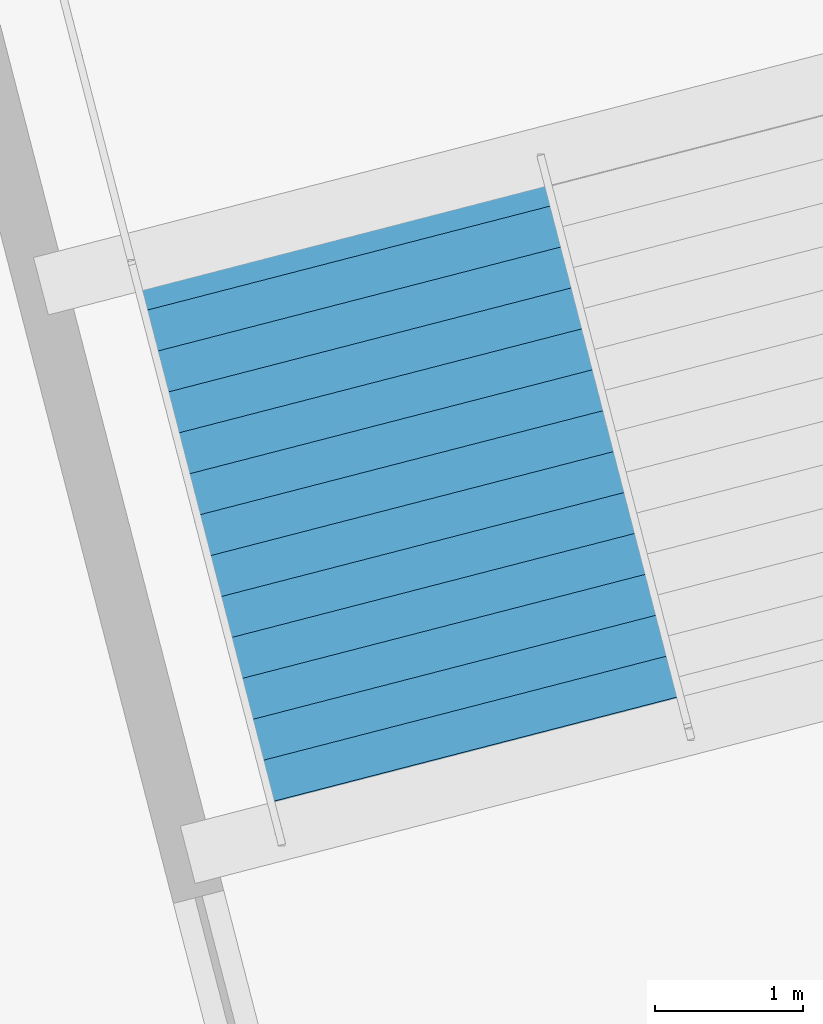
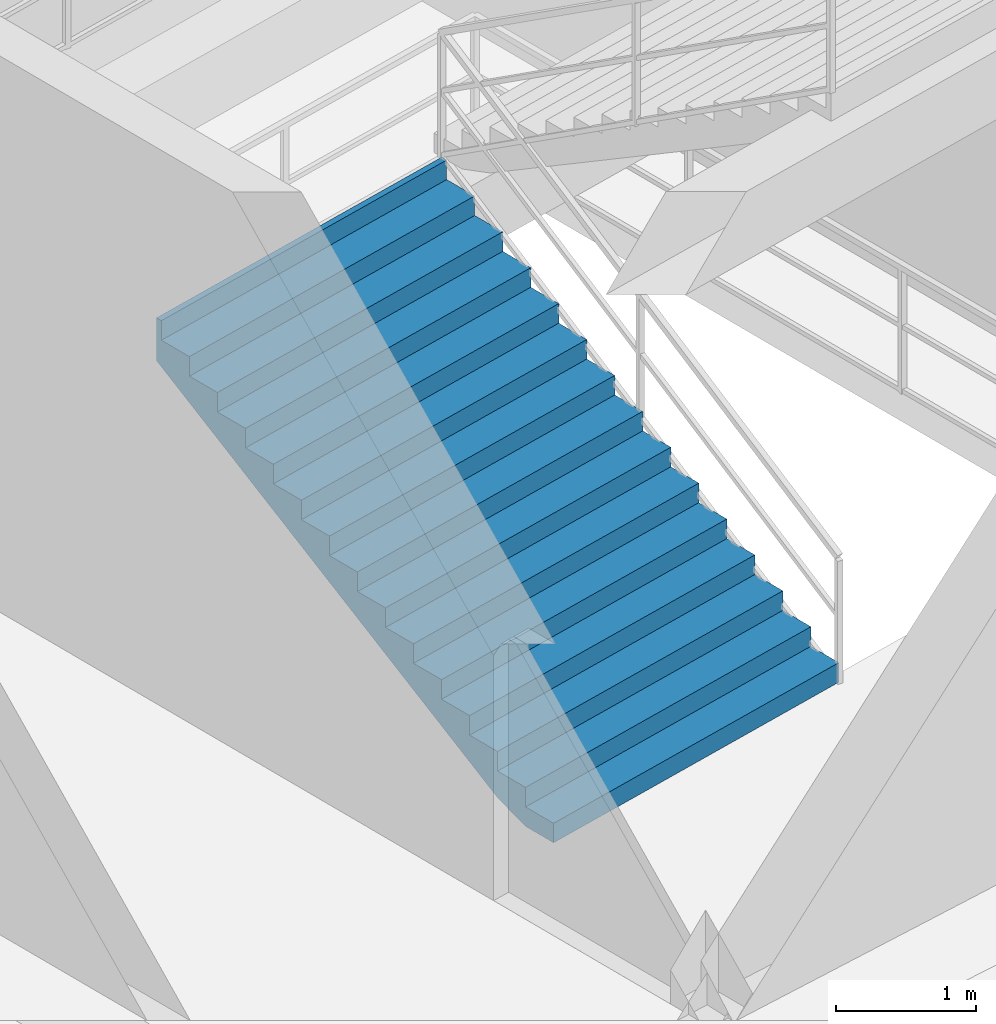
# One storey, part 165 of 184: 1 stair flight, 1 element without a shape of its own.
"""IFC4 building model written with IfcOpenShell, lengths in metres."""

from ifc_helpers import new_model, si_unit, direction, frame, origin, place, context, subcontext, project, spatial, polygons, material, type_object, element, aggregate, save


model = new_model("IFC4")

# Units and contexts
model_context = context("Model", 3, precision=1e-05, world=origin(), true_north=direction((0.0, 1.0)))
body_context = subcontext(model_context, "Body", "Model", "MODEL_VIEW")
ifc_project = project(units=[si_unit("LENGTHUNIT", "METRE"), si_unit("AREAUNIT", "SQUARE_METRE"), si_unit("VOLUMEUNIT", "CUBIC_METRE"), si_unit("PLANEANGLEUNIT", "RADIAN"), si_unit("MASSUNIT", "GRAM", prefix="KILO")], contexts=[model_context])

# Site, building, storey
site_placement = place(None, origin())
site = spatial("IfcSite", under=ifc_project, at=site_placement, CompositionType="ELEMENT")
building_placement = place(site_placement, origin())
building = spatial("IfcBuilding", under=site, at=building_placement, Name="Kazemori Nagisa Stadium", CompositionType="ELEMENT")
storey_placement = place(building_placement, frame((0.0, 0.0, 10.5400390625)))
storey = spatial("IfcBuildingStorey", under=building, at=storey_placement, Name="L02", CompositionType="ELEMENT", Elevation=10.5400390625)

# Stair, stair flight
ifc_material = material(Name="Concrete C36/45 (Fc36)", Category="concrete")
stair_type = type_object("IfcStairType", Name="Stair_CORE_30", PredefinedType="TWO_STRAIGHT_RUN_STAIR", material=ifc_material)
stair_placement = place(storey_placement, origin())
stair = element("IfcStair", 1, at=stair_placement, inside=storey, type_object=stair_type, Name="Exit stair ST07 L02", PredefinedType="TWO_STRAIGHT_RUN_STAIR")
stair_flight_type = type_object("IfcStairFlightType", Name="Flight_CORE_15", PredefinedType="STRAIGHT", material=ifc_material)
stair_flight_placement = place(storey_placement, frame((207.933349609375, 122.920166015625, 0.0), z_axis=(0.0, 0.0, 1.0), x_axis=(-0.249957593895, 0.968256784771, 0.0)))
stair_flight = element("IfcStairFlight", 2, at=stair_flight_placement, type_object=stair_flight_type, Name="Exit stair ST07 L02 flight 1", NumberOfRisers=15, NumberOfTreads=14, PredefinedType="STRAIGHT", RiserHeight=0.17, TreadLength=0.285, context=body_context, shape_type="Tessellation", body=[
    polygons([(0.0, -1.425048828125, 0.0), (0.0, -1.425048828125, 0.169921875), (0.284912109375, -1.425048828125, 0.169921875), (0.284912109375, -1.425048828125, 0.340087890625), (0.570068359375, -1.425048828125, 0.340087890625), (0.570068359375, -1.425048828125, 0.510009765625), (0.85498046875, -1.425048828125, 0.510009765625), (0.85498046875, -1.425048828125, 0.679931640625), (1.139892578125, -1.425048828125, 0.679931640625), (1.139892578125, -1.425048828125, 0.85009765625), (1.425048828125, -1.425048828125, 0.85009765625), (1.425048828125, -1.425048828125, 1.02001953125), (1.7099609375, -1.425048828125, 1.02001953125), (1.7099609375, -1.425048828125, 1.18994140625), (1.9951171875, -1.425048828125, 1.18994140625), (1.9951171875, -1.425048828125, 1.360107421875), (2.280029296875, -1.425048828125, 1.360107421875), (2.280029296875, -1.425048828125, 1.530029296875), (2.56494140625, -1.425048828125, 1.530029296875), (2.56494140625, -1.425048828125, 1.699951171875), (2.85009765625, -1.425048828125, 1.699951171875), (2.85009765625, -1.425048828125, 1.8701171875), (3.135009765625, -1.425048828125, 1.8701171875), (3.135009765625, -1.425048828125, 2.0400390625), (3.419921875, -1.425048828125, 2.0400390625), (3.419921875, -1.425048828125, 2.2099609375), (3.705078125, -1.425048828125, 2.2099609375), (3.705078125, -1.425048828125, 2.3798828125), (3.989990234375, -1.425048828125, 2.3798828125), (3.989990234375, -1.425048828125, 2.550048828125), (4.0400390625, -1.425048828125, 2.550048828125), (4.0400390625, -1.425048828125, 2.177001953125), (3.989990234375, -1.425048828125, 2.147216796875), (3.705078125, -1.425048828125, 1.977294921875), (3.419921875, -1.425048828125, 1.80712890625), (3.135009765625, -1.425048828125, 1.63720703125), (2.85009765625, -1.425048828125, 1.46728515625), (2.56494140625, -1.425048828125, 1.297119140625), (2.280029296875, -1.425048828125, 1.127197265625), (1.9951171875, -1.425048828125, 0.957275390625), (1.7099609375, -1.425048828125, 0.787109375), (1.425048828125, -1.425048828125, 0.6171875), (1.139892578125, -1.425048828125, 0.447265625), (0.85498046875, -1.425048828125, 0.277099609375), (0.570068359375, -1.425048828125, 0.107177734375), (0.284912109375, -1.425048828125, 0.0), (0.0, -0.08544921875, 0.0), (0.0, -0.08544921875, 0.169921875), (0.284912109375, -0.08544921875, 0.169921875), (0.284912109375, -0.08544921875, 0.340087890625), (0.570068359375, -0.08544921875, 0.340087890625), (0.570068359375, -0.08544921875, 0.510009765625), (0.85498046875, -0.08544921875, 0.510009765625), (0.85498046875, -0.08544921875, 0.679931640625), (1.139892578125, -0.08544921875, 0.679931640625), (1.139892578125, -0.08544921875, 0.85009765625), (1.425048828125, -0.08544921875, 0.85009765625), (1.425048828125, -0.08544921875, 1.02001953125), (1.7099609375, -0.08544921875, 1.02001953125), (1.7099609375, -0.08544921875, 1.18994140625), (1.9951171875, -0.08544921875, 1.18994140625), (1.9951171875, -0.08544921875, 1.360107421875), (2.280029296875, -0.08544921875, 1.360107421875), (2.280029296875, -0.08544921875, 1.530029296875), (2.56494140625, -0.08544921875, 1.530029296875), (2.56494140625, -0.08544921875, 1.699951171875), (2.85009765625, -0.08544921875, 1.699951171875), (2.85009765625, -0.08544921875, 1.8701171875), (3.135009765625, -0.08544921875, 1.8701171875), (3.135009765625, -0.08544921875, 2.0400390625), (3.419921875, -0.08544921875, 2.0400390625), (3.419921875, -0.08544921875, 2.2099609375), (3.705078125, -0.08544921875, 2.2099609375), (3.705078125, -0.08544921875, 2.3798828125), (3.989990234375, -0.08544921875, 2.3798828125), (3.989990234375, -0.08544921875, 2.550048828125), (4.0400390625, -0.08544921875, 2.550048828125), (4.0400390625, -0.08544921875, 2.177001953125), (3.989990234375, -0.08544921875, 2.147216796875), (3.705078125, -0.08544921875, 1.977294921875), (3.419921875, -0.08544921875, 1.80712890625), (3.135009765625, -0.08544921875, 1.63720703125), (2.85009765625, -0.08544921875, 1.46728515625), (2.56494140625, -0.08544921875, 1.297119140625), (2.280029296875, -0.08544921875, 1.127197265625), (1.9951171875, -0.08544921875, 0.957275390625), (1.7099609375, -0.08544921875, 0.787109375), (1.425048828125, -0.08544921875, 0.6171875), (1.139892578125, -0.08544921875, 0.447265625), (0.85498046875, -0.08544921875, 0.277099609375), (0.570068359375, -0.08544921875, 0.107177734375), (0.284912109375, -0.08544921875, 0.0), (0.0, 0.0, 0.0), (0.0, 0.0, 0.169921875), (0.284912109375, 0.0, 0.169921875), (0.284912109375, 0.0, 0.340087890625), (0.570068359375, 0.0, 0.340087890625), (0.570068359375, 0.0, 0.510009765625), (0.85498046875, 0.0, 0.510009765625), (0.85498046875, 0.0, 0.679931640625), (1.139892578125, 0.0, 0.679931640625), (1.139892578125, 0.0, 0.85009765625), (1.425048828125, 0.0, 0.85009765625), (1.425048828125, 0.0, 1.02001953125), (1.7099609375, 0.0, 1.02001953125), (1.7099609375, 0.0, 1.18994140625), (1.9951171875, 0.0, 1.18994140625), (1.9951171875, 0.0, 1.360107421875), (2.280029296875, 0.0, 1.360107421875), (2.280029296875, 0.0, 1.530029296875), (2.56494140625, 0.0, 1.530029296875), (2.56494140625, 0.0, 1.699951171875), (2.85009765625, 0.0, 1.699951171875), (2.85009765625, 0.0, 1.8701171875), (3.135009765625, 0.0, 1.8701171875), (3.135009765625, 0.0, 2.0400390625), (3.419921875, 0.0, 2.0400390625), (3.419921875, 0.0, 2.2099609375), (3.705078125, 0.0, 2.2099609375), (3.705078125, 0.0, 2.3798828125), (3.989990234375, 0.0, 2.3798828125), (3.989990234375, 0.0, 2.550048828125), (4.0400390625, 0.0, 2.550048828125), (4.0400390625, 0.0, 2.177001953125), (3.989990234375, 0.0, 2.147216796875), (3.705078125, 0.0, 1.977294921875), (3.419921875, 0.0, 1.80712890625), (3.135009765625, 0.0, 1.63720703125), (2.85009765625, 0.0, 1.46728515625), (2.56494140625, 0.0, 1.297119140625), (2.280029296875, 0.0, 1.127197265625), (1.9951171875, 0.0, 0.957275390625), (1.7099609375, 0.0, 0.787109375), (1.425048828125, 0.0, 0.6171875), (1.139892578125, 0.0, 0.447265625), (0.85498046875, 0.0, 0.277099609375), (0.570068359375, 0.0, 0.107177734375), (0.284912109375, 0.0, 0.0), (0.0, 0.08544921875, 0.0), (0.0, 0.08544921875, 0.169921875), (0.284912109375, 0.08544921875, 0.169921875), (0.284912109375, 0.08544921875, 0.340087890625), (0.570068359375, 0.08544921875, 0.340087890625), (0.570068359375, 0.08544921875, 0.510009765625), (0.85498046875, 0.08544921875, 0.510009765625), (0.85498046875, 0.08544921875, 0.679931640625), (1.139892578125, 0.08544921875, 0.679931640625), (1.139892578125, 0.08544921875, 0.85009765625), (1.425048828125, 0.08544921875, 0.85009765625), (1.425048828125, 0.08544921875, 1.02001953125), (1.7099609375, 0.08544921875, 1.02001953125), (1.7099609375, 0.08544921875, 1.18994140625), (1.9951171875, 0.08544921875, 1.18994140625), (1.9951171875, 0.08544921875, 1.360107421875), (2.280029296875, 0.08544921875, 1.360107421875), (2.280029296875, 0.08544921875, 1.530029296875), (2.56494140625, 0.08544921875, 1.530029296875), (2.56494140625, 0.08544921875, 1.699951171875), (2.85009765625, 0.08544921875, 1.699951171875), (2.85009765625, 0.08544921875, 1.8701171875), (3.135009765625, 0.08544921875, 1.8701171875), (3.135009765625, 0.08544921875, 2.0400390625), (3.419921875, 0.08544921875, 2.0400390625), (3.419921875, 0.08544921875, 2.2099609375), (3.705078125, 0.08544921875, 2.2099609375), (3.705078125, 0.08544921875, 2.3798828125), (3.989990234375, 0.08544921875, 2.3798828125), (3.989990234375, 0.08544921875, 2.550048828125), (4.0400390625, 0.08544921875, 2.550048828125), (4.0400390625, 0.08544921875, 2.177001953125), (3.989990234375, 0.08544921875, 2.147216796875), (3.705078125, 0.08544921875, 1.977294921875), (3.419921875, 0.08544921875, 1.80712890625), (3.135009765625, 0.08544921875, 1.63720703125), (2.85009765625, 0.08544921875, 1.46728515625), (2.56494140625, 0.08544921875, 1.297119140625), (2.280029296875, 0.08544921875, 1.127197265625), (1.9951171875, 0.08544921875, 0.957275390625), (1.7099609375, 0.08544921875, 0.787109375), (1.425048828125, 0.08544921875, 0.6171875), (1.139892578125, 0.08544921875, 0.447265625), (0.85498046875, 0.08544921875, 0.277099609375), (0.570068359375, 0.08544921875, 0.107177734375), (0.284912109375, 0.08544921875, 0.0), (0.0, 1.425048828125, 0.0), (0.0, 1.425048828125, 0.169921875), (0.284912109375, 1.425048828125, 0.169921875), (0.284912109375, 1.425048828125, 0.340087890625), (0.570068359375, 1.425048828125, 0.340087890625), (0.570068359375, 1.425048828125, 0.510009765625), (0.85498046875, 1.425048828125, 0.510009765625), (0.85498046875, 1.425048828125, 0.679931640625), (1.139892578125, 1.425048828125, 0.679931640625), (1.139892578125, 1.425048828125, 0.85009765625), (1.425048828125, 1.425048828125, 0.85009765625), (1.425048828125, 1.425048828125, 1.02001953125), (1.7099609375, 1.425048828125, 1.02001953125), (1.7099609375, 1.425048828125, 1.18994140625), (1.9951171875, 1.425048828125, 1.18994140625), (1.9951171875, 1.425048828125, 1.360107421875), (2.280029296875, 1.425048828125, 1.360107421875), (2.280029296875, 1.425048828125, 1.530029296875), (2.56494140625, 1.425048828125, 1.530029296875), (2.56494140625, 1.425048828125, 1.699951171875), (2.85009765625, 1.425048828125, 1.699951171875), (2.85009765625, 1.425048828125, 1.8701171875), (3.135009765625, 1.425048828125, 1.8701171875), (3.135009765625, 1.425048828125, 2.0400390625), (3.419921875, 1.425048828125, 2.0400390625), (3.419921875, 1.425048828125, 2.2099609375), (3.705078125, 1.425048828125, 2.2099609375), (3.705078125, 1.425048828125, 2.3798828125), (3.989990234375, 1.425048828125, 2.3798828125), (3.989990234375, 1.425048828125, 2.550048828125), (4.0400390625, 1.425048828125, 2.550048828125), (4.0400390625, 1.425048828125, 2.177001953125), (3.989990234375, 1.425048828125, 2.147216796875), (3.705078125, 1.425048828125, 1.977294921875), (3.419921875, 1.425048828125, 1.80712890625), (3.135009765625, 1.425048828125, 1.63720703125), (2.85009765625, 1.425048828125, 1.46728515625), (2.56494140625, 1.425048828125, 1.297119140625), (2.280029296875, 1.425048828125, 1.127197265625), (1.9951171875, 1.425048828125, 0.957275390625), (1.7099609375, 1.425048828125, 0.787109375), (1.425048828125, 1.425048828125, 0.6171875), (1.139892578125, 1.425048828125, 0.447265625), (0.85498046875, 1.425048828125, 0.277099609375), (0.570068359375, 1.425048828125, 0.107177734375), (0.284912109375, 1.425048828125, 0.0)], [[[1, 2, 48]], [[1, 48, 47]], [[2, 3, 49]], [[2, 49, 48]], [[3, 4, 50]], [[3, 50, 49]], [[4, 5, 51]], [[4, 51, 50]], [[5, 6, 52]], [[5, 52, 51]], [[6, 7, 53]], [[6, 53, 52]], [[7, 8, 54]], [[7, 54, 53]], [[8, 9, 55]], [[8, 55, 54]], [[9, 10, 56]], [[9, 56, 55]], [[10, 11, 57]], [[10, 57, 56]], [[11, 12, 58]], [[11, 58, 57]], [[12, 13, 59]], [[12, 59, 58]], [[13, 14, 60]], [[13, 60, 59]], [[14, 15, 61]], [[14, 61, 60]], [[15, 16, 62]], [[15, 62, 61]], [[16, 17, 63]], [[16, 63, 62]], [[17, 18, 64]], [[17, 64, 63]], [[18, 19, 65]], [[18, 65, 64]], [[19, 20, 66]], [[19, 66, 65]], [[20, 21, 67]], [[20, 67, 66]], [[21, 22, 68]], [[21, 68, 67]], [[22, 23, 69]], [[22, 69, 68]], [[23, 24, 70]], [[23, 70, 69]], [[24, 25, 71]], [[24, 71, 70]], [[25, 26, 72]], [[25, 72, 71]], [[26, 27, 73]], [[26, 73, 72]], [[27, 28, 74]], [[27, 74, 73]], [[28, 29, 75]], [[28, 75, 74]], [[29, 30, 76]], [[29, 76, 75]], [[30, 31, 77]], [[30, 77, 76]], [[31, 32, 78]], [[31, 78, 77]], [[32, 33, 79]], [[32, 79, 78]], [[33, 34, 80]], [[33, 80, 79]], [[34, 35, 81]], [[34, 81, 80]], [[35, 36, 82]], [[35, 82, 81]], [[36, 37, 83]], [[36, 83, 82]], [[37, 38, 84]], [[37, 84, 83]], [[38, 39, 85]], [[38, 85, 84]], [[39, 40, 86]], [[39, 86, 85]], [[40, 41, 87]], [[40, 87, 86]], [[41, 42, 88]], [[41, 88, 87]], [[42, 43, 89]], [[42, 89, 88]], [[43, 44, 90]], [[43, 90, 89]], [[44, 45, 91]], [[44, 91, 90]], [[45, 46, 92]], [[45, 92, 91]], [[46, 1, 47]], [[46, 47, 92]], [[47, 48, 94]], [[47, 94, 93]], [[48, 49, 95]], [[48, 95, 94]], [[49, 50, 96]], [[49, 96, 95]], [[50, 51, 97]], [[50, 97, 96]], [[51, 52, 98]], [[51, 98, 97]], [[52, 53, 99]], [[52, 99, 98]], [[53, 54, 100]], [[53, 100, 99]], [[54, 55, 101]], [[54, 101, 100]], [[55, 56, 102]], [[55, 102, 101]], [[56, 57, 103]], [[56, 103, 102]], [[57, 58, 104]], [[57, 104, 103]], [[58, 59, 105]], [[58, 105, 104]], [[59, 60, 106]], [[59, 106, 105]], [[60, 61, 107]], [[60, 107, 106]], [[61, 62, 108]], [[61, 108, 107]], [[62, 63, 109]], [[62, 109, 108]], [[63, 64, 110]], [[63, 110, 109]], [[64, 65, 111]], [[64, 111, 110]], [[65, 66, 112]], [[65, 112, 111]], [[66, 67, 113]], [[66, 113, 112]], [[67, 68, 114]], [[67, 114, 113]], [[68, 69, 115]], [[68, 115, 114]], [[69, 70, 116]], [[69, 116, 115]], [[70, 71, 117]], [[70, 117, 116]], [[71, 72, 118]], [[71, 118, 117]], [[72, 73, 119]], [[72, 119, 118]], [[73, 74, 120]], [[73, 120, 119]], [[74, 75, 121]], [[74, 121, 120]], [[75, 76, 122]], [[75, 122, 121]], [[76, 77, 123]], [[76, 123, 122]], [[77, 78, 124]], [[77, 124, 123]], [[78, 79, 125]], [[78, 125, 124]], [[79, 80, 126]], [[79, 126, 125]], [[80, 81, 127]], [[80, 127, 126]], [[81, 82, 128]], [[81, 128, 127]], [[82, 83, 129]], [[82, 129, 128]], [[83, 84, 130]], [[83, 130, 129]], [[84, 85, 131]], [[84, 131, 130]], [[85, 86, 132]], [[85, 132, 131]], [[86, 87, 133]], [[86, 133, 132]], [[87, 88, 134]], [[87, 134, 133]], [[88, 89, 135]], [[88, 135, 134]], [[89, 90, 136]], [[89, 136, 135]], [[90, 91, 137]], [[90, 137, 136]], [[91, 92, 138]], [[91, 138, 137]], [[92, 47, 93]], [[92, 93, 138]], [[93, 94, 140]], [[93, 140, 139]], [[94, 95, 141]], [[94, 141, 140]], [[95, 96, 142]], [[95, 142, 141]], [[96, 97, 143]], [[96, 143, 142]], [[97, 98, 144]], [[97, 144, 143]], [[98, 99, 145]], [[98, 145, 144]], [[99, 100, 146]], [[99, 146, 145]], [[100, 101, 147]], [[100, 147, 146]], [[101, 102, 148]], [[101, 148, 147]], [[102, 103, 149]], [[102, 149, 148]], [[103, 104, 150]], [[103, 150, 149]], [[104, 105, 151]], [[104, 151, 150]], [[105, 106, 152]], [[105, 152, 151]], [[106, 107, 153]], [[106, 153, 152]], [[107, 108, 154]], [[107, 154, 153]], [[108, 109, 155]], [[108, 155, 154]], [[109, 110, 156]], [[109, 156, 155]], [[110, 111, 157]], [[110, 157, 156]], [[111, 112, 158]], [[111, 158, 157]], [[112, 113, 159]], [[112, 159, 158]], [[113, 114, 160]], [[113, 160, 159]], [[114, 115, 161]], [[114, 161, 160]], [[115, 116, 162]], [[115, 162, 161]], [[116, 117, 163]], [[116, 163, 162]], [[117, 118, 164]], [[117, 164, 163]], [[118, 119, 165]], [[118, 165, 164]], [[119, 120, 166]], [[119, 166, 165]], [[120, 121, 167]], [[120, 167, 166]], [[121, 122, 168]], [[121, 168, 167]], [[122, 123, 169]], [[122, 169, 168]], [[123, 124, 170]], [[123, 170, 169]], [[124, 125, 171]], [[124, 171, 170]], [[125, 126, 172]], [[125, 172, 171]], [[126, 127, 173]], [[126, 173, 172]], [[127, 128, 174]], [[127, 174, 173]], [[128, 129, 175]], [[128, 175, 174]], [[129, 130, 176]], [[129, 176, 175]], [[130, 131, 177]], [[130, 177, 176]], [[131, 132, 178]], [[131, 178, 177]], [[132, 133, 179]], [[132, 179, 178]], [[133, 134, 180]], [[133, 180, 179]], [[134, 135, 181]], [[134, 181, 180]], [[135, 136, 182]], [[135, 182, 181]], [[136, 137, 183]], [[136, 183, 182]], [[137, 138, 184]], [[137, 184, 183]], [[138, 93, 139]], [[138, 139, 184]], [[139, 140, 186]], [[139, 186, 185]], [[140, 141, 187]], [[140, 187, 186]], [[141, 142, 188]], [[141, 188, 187]], [[142, 143, 189]], [[142, 189, 188]], [[143, 144, 190]], [[143, 190, 189]], [[144, 145, 191]], [[144, 191, 190]], [[145, 146, 192]], [[145, 192, 191]], [[146, 147, 193]], [[146, 193, 192]], [[147, 148, 194]], [[147, 194, 193]], [[148, 149, 195]], [[148, 195, 194]], [[149, 150, 196]], [[149, 196, 195]], [[150, 151, 197]], [[150, 197, 196]], [[151, 152, 198]], [[151, 198, 197]], [[152, 153, 199]], [[152, 199, 198]], [[153, 154, 200]], [[153, 200, 199]], [[154, 155, 201]], [[154, 201, 200]], [[155, 156, 202]], [[155, 202, 201]], [[156, 157, 203]], [[156, 203, 202]], [[157, 158, 204]], [[157, 204, 203]], [[158, 159, 205]], [[158, 205, 204]], [[159, 160, 206]], [[159, 206, 205]], [[160, 161, 207]], [[160, 207, 206]], [[161, 162, 208]], [[161, 208, 207]], [[162, 163, 209]], [[162, 209, 208]], [[163, 164, 210]], [[163, 210, 209]], [[164, 165, 211]], [[164, 211, 210]], [[165, 166, 212]], [[165, 212, 211]], [[166, 167, 213]], [[166, 213, 212]], [[167, 168, 214]], [[167, 214, 213]], [[168, 169, 215]], [[168, 215, 214]], [[169, 170, 216]], [[169, 216, 215]], [[170, 171, 217]], [[170, 217, 216]], [[171, 172, 218]], [[171, 218, 217]], [[172, 173, 219]], [[172, 219, 218]], [[173, 174, 220]], [[173, 220, 219]], [[174, 175, 221]], [[174, 221, 220]], [[175, 176, 222]], [[175, 222, 221]], [[176, 177, 223]], [[176, 223, 222]], [[177, 178, 224]], [[177, 224, 223]], [[178, 179, 225]], [[178, 225, 224]], [[179, 180, 226]], [[179, 226, 225]], [[180, 181, 227]], [[180, 227, 226]], [[181, 182, 228]], [[181, 228, 227]], [[182, 183, 229]], [[182, 229, 228]], [[183, 184, 230]], [[183, 230, 229]], [[184, 139, 185]], [[184, 185, 230]], [[3, 2, 1]], [[185, 186, 187]], [[46, 3, 1]], [[185, 187, 230]], [[45, 3, 46]], [[230, 187, 229]], [[5, 3, 45]], [[229, 187, 189]], [[5, 4, 3]], [[187, 188, 189]], [[44, 5, 45]], [[229, 189, 228]], [[7, 5, 44]], [[228, 189, 191]], [[7, 6, 5]], [[189, 190, 191]], [[43, 7, 44]], [[228, 191, 227]], [[9, 7, 43]], [[227, 191, 193]], [[9, 8, 7]], [[191, 192, 193]], [[42, 9, 43]], [[227, 193, 226]], [[11, 9, 42]], [[226, 193, 195]], [[11, 10, 9]], [[193, 194, 195]], [[41, 11, 42]], [[226, 195, 225]], [[13, 11, 41]], [[225, 195, 197]], [[13, 12, 11]], [[195, 196, 197]], [[40, 13, 41]], [[225, 197, 224]], [[15, 13, 40]], [[224, 197, 199]], [[15, 14, 13]], [[197, 198, 199]], [[39, 15, 40]], [[224, 199, 223]], [[17, 15, 39]], [[223, 199, 201]], [[17, 16, 15]], [[199, 200, 201]], [[38, 17, 39]], [[223, 201, 222]], [[19, 17, 38]], [[222, 201, 203]], [[19, 18, 17]], [[201, 202, 203]], [[37, 19, 38]], [[222, 203, 221]], [[21, 19, 37]], [[221, 203, 205]], [[21, 20, 19]], [[203, 204, 205]], [[36, 21, 37]], [[221, 205, 220]], [[23, 21, 36]], [[220, 205, 207]], [[23, 22, 21]], [[205, 206, 207]], [[35, 23, 36]], [[220, 207, 219]], [[25, 23, 35]], [[219, 207, 209]], [[25, 24, 23]], [[207, 208, 209]], [[34, 25, 35]], [[219, 209, 218]], [[27, 25, 34]], [[218, 209, 211]], [[27, 26, 25]], [[209, 210, 211]], [[33, 27, 34]], [[218, 211, 217]], [[29, 27, 33]], [[217, 211, 213]], [[29, 28, 27]], [[211, 212, 213]], [[32, 29, 33]], [[217, 213, 216]], [[31, 29, 32]], [[216, 213, 215]], [[31, 30, 29]], [[213, 214, 215]]], closed=True),
])
aggregate(stair, [stair_flight])

save(model, "model.ifc")
